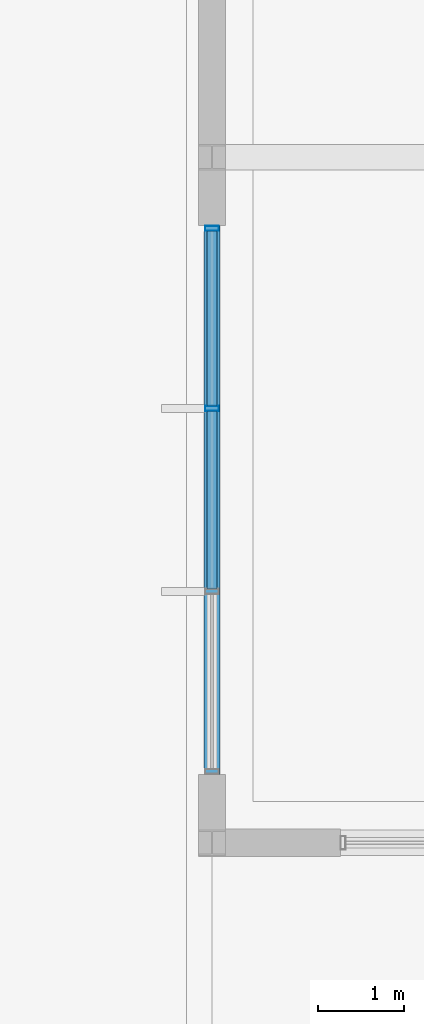
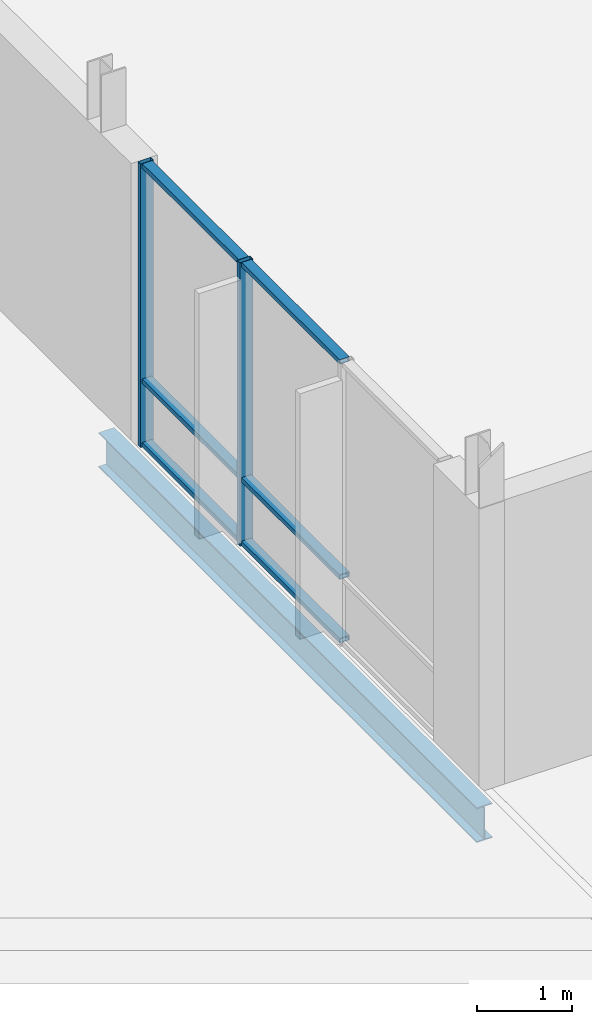
# One storey, part 150 of 233: 8 members, 1 beam, 1 element without a shape of its own.
"""IFC4 building model written with IfcOpenShell, lengths in metres."""

from ifc_helpers import new_model, si_unit, direction, frame, origin, origin_2d, place, context, subcontext, project, spatial, hollow_rectangle, i_section, extrude, material, material_profile, profile_set, type_object, element, aggregate, save


model = new_model("IFC4")

# Units and contexts
model_context = context("Model", 3, precision=1e-05, world=origin(), true_north=direction((0.0, 1.0)))
body_context = subcontext(model_context, "Body", "Model", "MODEL_VIEW")
ifc_project = project(units=[si_unit("LENGTHUNIT", "METRE"), si_unit("AREAUNIT", "SQUARE_METRE"), si_unit("VOLUMEUNIT", "CUBIC_METRE"), si_unit("PLANEANGLEUNIT", "RADIAN"), si_unit("MASSUNIT", "GRAM", prefix="KILO")], contexts=[model_context])

# Site, building, storey
site_placement = place(None, origin())
site = spatial("IfcSite", under=ifc_project, at=site_placement, CompositionType="ELEMENT")
building_placement = place(site_placement, origin())
building = spatial("IfcBuilding", under=site, at=building_placement, Name="Zavelmont Quarter", CompositionType="ELEMENT")
storey_placement = place(building_placement, origin())
storey = spatial("IfcBuildingStorey", under=building, at=storey_placement, Name="L00", CompositionType="ELEMENT", Elevation=0.0)

# Beam
ifc_material_1 = material(Name="Steel S355", Category="steel")
ifc_material_profile_1 = material_profile(ifc_material_1, i_section(OverallWidth=0.18994140625, OverallDepth=0.449951171875, WebThickness=0.009521484375, FlangeThickness=0.0146484375, at=origin_2d()), Name="IPE 450")
ifc_profile_set_1 = profile_set([ifc_material_profile_1], Name="Steel S355")
beam_type = type_object("IfcBeamType", Name="BM12", PredefinedType="BEAM", material=ifc_profile_set_1)
beam_placement = place(storey_placement, frame((133.5, 38.0, -0.544921875), z_axis=(0.0, 1.0, 0.0), x_axis=(-1.0, 0.0, 0.0)))
element("IfcBeam", 1, at=beam_placement, inside=storey, type_object=beam_type, Name="L00 beam BM12 20/G to 20/H", PredefinedType="BEAM", context=body_context, shape_type="SweptSolid", body=[
    extrude(i_section(OverallWidth=0.18994140625, OverallDepth=0.449951171875, WebThickness=0.009521484375, FlangeThickness=0.0146484375, at=origin_2d()), origin(), (0.0, 0.0, 1.0), 8.0),
])

# Curtain wall, members
ifc_material_2 = material(Name="Thermally broken aluminium and double low-E safety glazing", Category="aluminium")
curtain_wall_type = type_object("IfcCurtainWallType", Name="CW-640X366", PredefinedType="NOTDEFINED", material=ifc_material_2)
curtain_wall_placement = place(storey_placement, origin())
curtain_wall = element("IfcCurtainWall", 2, at=curtain_wall_placement, inside=storey, type_object=curtain_wall_type, Name="L00 unitised curtain wall CW-640X366", PredefinedType="NOTDEFINED")
ifc_material_3 = material(Name="Powder-coated aluminium EN AW-6063-T6", Category="aluminium")
ifc_material_profile_2 = material_profile(ifc_material_3, hollow_rectangle(XDim=0.06005859375, YDim=0.159912109375, WallThickness=0.00390625, at=origin_2d()), Name="CWM60X160")
ifc_profile_set_2 = profile_set([ifc_material_profile_2], Name="Powder-coated aluminium EN AW-6063-T6")
member_type_1 = type_object("IfcMemberType", Name="CWM01", PredefinedType="MULLION", material=ifc_profile_set_2)
member_1_placement = place(storey_placement, frame((133.5, 43.066650390625, 0.0), z_axis=(0.0, 0.0, 1.0), x_axis=(0.0, 1.0, 0.0)))
member_1 = element("IfcMember", 3, at=member_1_placement, type_object=member_type_1, Name="CW-640X366 mullion 3", PredefinedType="MULLION", context=body_context, shape_type="SweptSolid", body=[
    extrude(hollow_rectangle(XDim=0.06005859375, YDim=0.159912109375, WallThickness=0.00390625, at=origin_2d()), origin(), (0.0, 0.0, 1.0), 3.659912109375),
])
member_2_placement = place(storey_placement, frame((133.5, 45.169921875, 0.0), z_axis=(0.0, 0.0, 1.0), x_axis=(0.0, 1.0, 0.0)))
member_2 = element("IfcMember", 4, at=member_2_placement, type_object=member_type_1, Name="CW-640X366 mullion 4", PredefinedType="MULLION", context=body_context, shape_type="SweptSolid", body=[
    extrude(hollow_rectangle(XDim=0.06005859375, YDim=0.159912109375, WallThickness=0.00390625, at=origin_2d()), origin(), (0.0, 0.0, 1.0), 3.659912109375),
])
ifc_material_profile_3 = material_profile(ifc_material_3, hollow_rectangle(XDim=0.1201171875, YDim=0.06005859375, WallThickness=0.00390625, at=origin_2d()), Name="CWT60X120")
ifc_profile_set_3 = profile_set([ifc_material_profile_3], Name="Powder-coated aluminium EN AW-6063-T6")
member_type_2 = type_object("IfcMemberType", Name="CWT01", PredefinedType="NOTDEFINED", material=ifc_profile_set_3)
member_3_placement = place(storey_placement, frame((133.5, 40.96337890625, 0.030029296875), z_axis=(0.0, 1.0, 0.0), x_axis=(-1.0, 0.0, 0.0)))
member_3 = element("IfcMember", 5, at=member_3_placement, type_object=member_type_2, Name="CW-640X366 transom 2.1", ObjectType="TRANSOM", PredefinedType="USERDEFINED", context=body_context, shape_type="SweptSolid", body=[
    extrude(hollow_rectangle(XDim=0.1201171875, YDim=0.06005859375, WallThickness=0.00390625, at=origin_2d()), origin(), (0.0, 0.0, 1.0), 2.0732421875),
])
member_4_placement = place(storey_placement, frame((133.5, 40.96337890625, 0.85009765625), z_axis=(0.0, 1.0, 0.0), x_axis=(-1.0, 0.0, 0.0)))
member_4 = element("IfcMember", 6, at=member_4_placement, type_object=member_type_2, Name="CW-640X366 transom 2.2", ObjectType="TRANSOM", PredefinedType="USERDEFINED", context=body_context, shape_type="SweptSolid", body=[
    extrude(hollow_rectangle(XDim=0.1201171875, YDim=0.06005859375, WallThickness=0.00390625, at=origin_2d()), origin(), (0.0, 0.0, 1.0), 2.0732421875),
])
member_5_placement = place(storey_placement, frame((133.5, 40.96337890625, 3.6298828125), z_axis=(0.0, 1.0, 0.0), x_axis=(-1.0, 0.0, 0.0)))
member_5 = element("IfcMember", 7, at=member_5_placement, type_object=member_type_2, Name="CW-640X366 transom 2.3", ObjectType="TRANSOM", PredefinedType="USERDEFINED", context=body_context, shape_type="SweptSolid", body=[
    extrude(hollow_rectangle(XDim=0.1201171875, YDim=0.06005859375, WallThickness=0.00390625, at=origin_2d()), origin(), (0.0, 0.0, 1.0), 2.0732421875),
])
member_6_placement = place(storey_placement, frame((133.5, 43.0966796875, 0.030029296875), z_axis=(0.0, 1.0, 0.0), x_axis=(-1.0, 0.0, 0.0)))
member_6 = element("IfcMember", 8, at=member_6_placement, type_object=member_type_2, Name="CW-640X366 transom 3.1", ObjectType="TRANSOM", PredefinedType="USERDEFINED", context=body_context, shape_type="SweptSolid", body=[
    extrude(hollow_rectangle(XDim=0.1201171875, YDim=0.06005859375, WallThickness=0.00390625, at=origin_2d()), origin(), (0.0, 0.0, 1.0), 2.043212890625),
])
member_7_placement = place(storey_placement, frame((133.5, 43.0966796875, 0.85009765625), z_axis=(0.0, 1.0, 0.0), x_axis=(-1.0, 0.0, 0.0)))
member_7 = element("IfcMember", 9, at=member_7_placement, type_object=member_type_2, Name="CW-640X366 transom 3.2", ObjectType="TRANSOM", PredefinedType="USERDEFINED", context=body_context, shape_type="SweptSolid", body=[
    extrude(hollow_rectangle(XDim=0.1201171875, YDim=0.06005859375, WallThickness=0.00390625, at=origin_2d()), origin(), (0.0, 0.0, 1.0), 2.043212890625),
])
member_8_placement = place(storey_placement, frame((133.5, 43.0966796875, 3.6298828125), z_axis=(0.0, 1.0, 0.0), x_axis=(-1.0, 0.0, 0.0)))
member_8 = element("IfcMember", 10, at=member_8_placement, type_object=member_type_2, Name="CW-640X366 transom 3.3", ObjectType="TRANSOM", PredefinedType="USERDEFINED", context=body_context, shape_type="SweptSolid", body=[
    extrude(hollow_rectangle(XDim=0.1201171875, YDim=0.06005859375, WallThickness=0.00390625, at=origin_2d()), origin(), (0.0, 0.0, 1.0), 2.043212890625),
])
aggregate(curtain_wall, [member_1, member_2, member_3, member_4, member_5, member_6, member_7, member_8])

save(model, "model.ifc")
